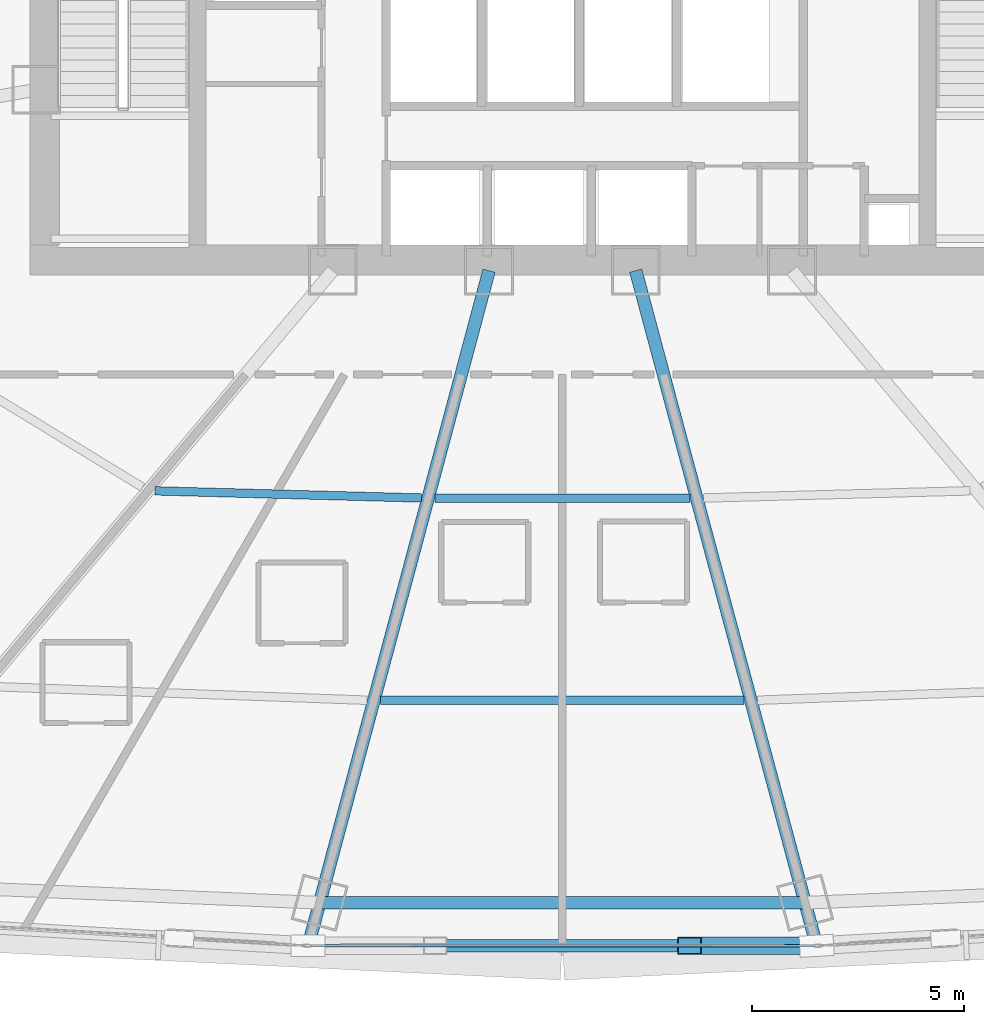
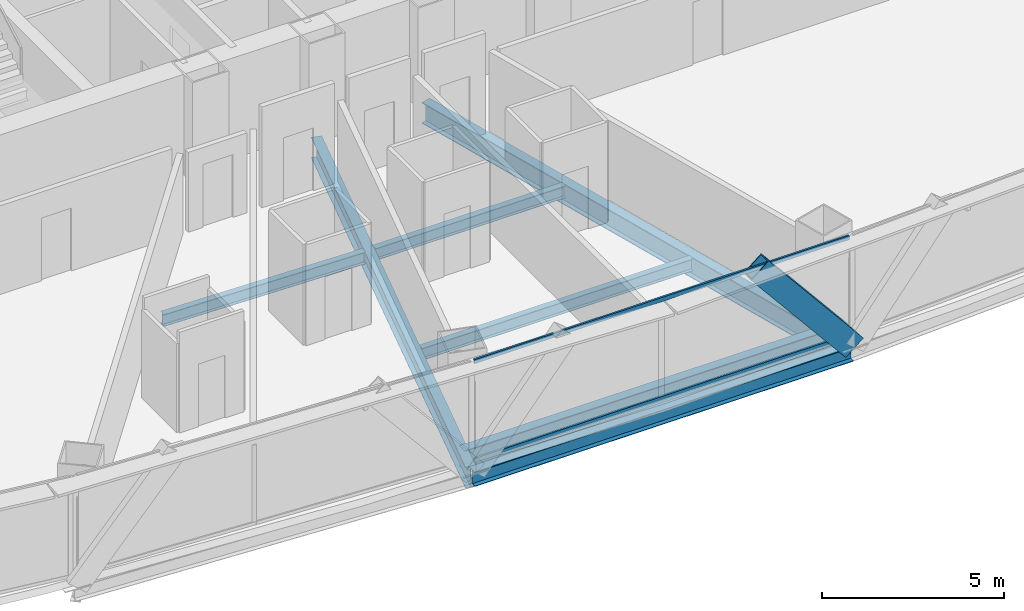
# One storey, part 9 of 41: 7 beams, 3 members, 1 element without a shape of its own.
"""IFC4 building model written with IfcOpenShell, lengths in metres."""

from ifc_helpers import new_model, si_unit, direction, frame, origin, origin_2d, place, context, subcontext, project, spatial, hollow_rectangle, i_section, extrude, source, transform, mapped, material, layer, layer_set, material_profile, profile_set, type_object, element, aggregate, save


model = new_model("IFC4")

# Units and contexts
model_context = context("Model", 3, precision=1e-05, world=origin(), true_north=direction((0.0, 1.0)))
body_context = subcontext(model_context, "Body", "Model", "MODEL_VIEW")
ifc_project = project(units=[si_unit("LENGTHUNIT", "METRE"), si_unit("AREAUNIT", "SQUARE_METRE"), si_unit("VOLUMEUNIT", "CUBIC_METRE"), si_unit("PLANEANGLEUNIT", "RADIAN"), si_unit("MASSUNIT", "GRAM", prefix="KILO"), si_unit("THERMODYNAMICTEMPERATUREUNIT", "KELVIN"), si_unit("POWERUNIT", "WATT")], contexts=[model_context])

# Site, building, storey
site_placement = place(None, origin())
site = spatial("IfcSite", under=ifc_project, at=site_placement, CompositionType="ELEMENT")
building_placement = place(site_placement, origin())
building = spatial("IfcBuilding", under=site, at=building_placement, Name="Yunzhuo Pagoda Commons", CompositionType="ELEMENT")
storey_placement = place(building_placement, frame((0.0, 0.0, 63.070068359375)))
storey = spatial("IfcBuildingStorey", under=building, at=storey_placement, Name="L16", CompositionType="ELEMENT", Elevation=63.070068359375)

# Beams
ifc_material_1 = material(Name="Structural steel Q355B", Category="steel")
ifc_material_profile_1 = material_profile(ifc_material_1, i_section(OverallWidth=0.300048828125, OverallDepth=0.699951171875, WebThickness=0.012939453125, FlangeThickness=0.02392578125, at=origin_2d()), Name="Structural steel Q355B")
ifc_profile_set_1 = profile_set([ifc_material_profile_1], Name="Structural steel Q355B")
beam_type_1 = type_object("IfcBeamType", Name="B-RG1 Beam HN 700x300x13x24", PredefinedType="BEAM", material=ifc_profile_set_1)
shared_shape_1 = source(origin(), body_context, "Body", "SweptSolid", [
    extrude(i_section(OverallWidth=0.300048828125, OverallDepth=0.699951171875, WebThickness=0.012939453125, FlangeThickness=0.02392578125, at=origin_2d()), origin(), (0.0, 0.0, 1.0), 11.4404296875),
])
beam_1_placement = place(storey_placement, frame((42.27978515625, 12.35205078125, -0.610107421875), z_axis=(1.0, 0.0, 0.0), x_axis=(0.0, 1.0, 0.0)))
element("IfcBeam", 1, at=beam_1_placement, inside=storey, type_object=beam_type_1, Name="L16 column-ring beam 2", PredefinedType="BEAM", context=body_context, shape_type="MappedRepresentation", body=[
    mapped(shared_shape_1, transform((0.0, 0.0, 0.0), scale=1.0)),
])
ifc_material_profile_2 = material_profile(ifc_material_1, i_section(OverallWidth=0.199951171875, OverallDepth=0.39990234375, WebThickness=0.008056640625, FlangeThickness=0.012939453125, at=origin_2d()), Name="Structural steel Q355B")
ifc_profile_set_2 = profile_set([ifc_material_profile_2], Name="Structural steel Q355B")
beam_type_2 = type_object("IfcBeamType", Name="B-JS1 Joist HN 400x200x8x13", PredefinedType="JOIST", material=ifc_profile_set_2)
shared_shape_2 = source(origin(), body_context, "Body", "SweptSolid", [
    extrude(i_section(OverallWidth=0.199951171875, OverallDepth=0.39990234375, WebThickness=0.008056640625, FlangeThickness=0.012939453125, at=origin_2d()), origin(), (0.0, 0.0, 1.0), 6.28271484375),
])
beam_2_placement = place(storey_placement, frame((38.395263671875, 22.06005859375, -0.4599609375), z_axis=(0.999638393847, -0.026890175648, 0.0), x_axis=(0.026890175648, 0.999638393847, 0.0)))
element("IfcBeam", 2, at=beam_2_placement, inside=storey, type_object=beam_type_2, Name="L16 composite ring joist 1.1", PredefinedType="JOIST", context=body_context, shape_type="MappedRepresentation", body=[
    mapped(shared_shape_2, transform((0.0, 0.0, 0.0), scale=1.0)),
])
shared_shape_3 = source(origin(), body_context, "Body", "SweptSolid", [
    extrude(i_section(OverallWidth=0.199951171875, OverallDepth=0.39990234375, WebThickness=0.008056640625, FlangeThickness=0.012939453125, at=origin_2d()), origin(), (0.0, 0.0, 1.0), 6.0126953125),
])
beam_3_placement = place(storey_placement, frame((44.99365234375, 21.88671875, -0.4599609375), z_axis=(1.0, 0.0, 0.0), x_axis=(0.0, 1.0, 0.0)))
element("IfcBeam", 3, at=beam_3_placement, inside=storey, type_object=beam_type_2, Name="L16 composite ring joist 1.2", PredefinedType="JOIST", context=body_context, shape_type="MappedRepresentation", body=[
    mapped(shared_shape_3, transform((0.0, 0.0, 0.0), scale=1.0)),
])
shared_shape_4 = source(origin(), body_context, "Body", "SweptSolid", [
    extrude(i_section(OverallWidth=0.199951171875, OverallDepth=0.39990234375, WebThickness=0.008056640625, FlangeThickness=0.012939453125, at=origin_2d()), origin(), (0.0, 0.0, 1.0), 8.5673828125),
])
beam_4_placement = place(storey_placement, frame((43.71630859375, 17.119384765625, -0.4599609375), z_axis=(1.0, 0.0, 0.0), x_axis=(0.0, 1.0, 0.0)))
element("IfcBeam", 4, at=beam_4_placement, inside=storey, type_object=beam_type_2, Name="L16 composite ring joist 2.2", PredefinedType="JOIST", context=body_context, shape_type="MappedRepresentation", body=[
    mapped(shared_shape_4, transform((0.0, 0.0, 0.0), scale=1.0)),
])
shared_shape_5 = source(origin(), body_context, "Body", "SweptSolid", [
    extrude(i_section(OverallWidth=0.300048828125, OverallDepth=0.699951171875, WebThickness=0.012939453125, FlangeThickness=0.02392578125, at=origin_2d()), origin(), (0.0, 0.0, 1.0), 16.318603515625),
])
beam_5_placement = place(storey_placement, frame((42.048095703125, 11.487548828125, -0.610107421875), z_axis=(0.258838535444, 0.965920603657, 0.0), x_axis=(-0.965920603657, 0.258838535444, 0.0)))
element("IfcBeam", 5, at=beam_5_placement, inside=storey, type_object=beam_type_1, Name="L16 radial floor girder F1C2", PredefinedType="BEAM", context=body_context, shape_type="MappedRepresentation", body=[
    mapped(shared_shape_5, transform((0.0, 0.0, 0.0), scale=1.0)),
])
shared_shape_6 = source(origin(), body_context, "Body", "SweptSolid", [
    extrude(i_section(OverallWidth=0.300048828125, OverallDepth=0.699951171875, WebThickness=0.012939453125, FlangeThickness=0.02392578125, at=origin_2d()), origin(), (0.0, 0.0, 1.0), 16.318359375),
])
beam_6_placement = place(storey_placement, frame((53.951904296875, 11.487548828125, -0.610107421875), z_axis=(-0.258810618002, 0.965928084285, 0.0), x_axis=(-0.965928084285, -0.258810618002, 0.0)))
element("IfcBeam", 6, at=beam_6_placement, inside=storey, type_object=beam_type_1, Name="L16 radial floor girder F1C3", PredefinedType="BEAM", context=body_context, shape_type="MappedRepresentation", body=[
    mapped(shared_shape_6, transform((0.0, 0.0, 0.0), scale=1.0)),
])
ifc_material_profile_3 = material_profile(ifc_material_1, i_section(OverallWidth=0.300048828125, OverallDepth=0.488037109375, WebThickness=0.010986328125, FlangeThickness=0.01806640625, at=origin_2d()), Name="Structural steel Q355B")
ifc_profile_set_3 = profile_set([ifc_material_profile_3], Name="Structural steel Q355B")
beam_type_3 = type_object("IfcBeamType", Name="B-SP1 Beam HM 488x300x11x18", PredefinedType="BEAM", material=ifc_profile_set_3)
shared_shape_7 = source(origin(), body_context, "Body", "SweptSolid", [
    extrude(i_section(OverallWidth=0.300048828125, OverallDepth=0.488037109375, WebThickness=0.010986328125, FlangeThickness=0.01806640625, at=origin_2d()), origin(), (0.0, 0.0, 1.0), 11.98388671875),
])
beam_7_placement = place(storey_placement, frame((42.008056640625, 11.337890625, -0.504150390625), z_axis=(1.0, 0.0, 0.0), x_axis=(0.0, 1.0, 0.0)))
element("IfcBeam", 7, at=beam_7_placement, inside=storey, type_object=beam_type_3, Name="L16 facade edge spandrel beam F1.2", PredefinedType="BEAM", context=body_context, shape_type="MappedRepresentation", body=[
    mapped(shared_shape_7, transform((0.0, 0.0, 0.0), scale=1.0)),
])

# Member
ifc_material_2 = material(Name="Structural steel Q420B", Category="steel")
ifc_material_profile_4 = material_profile(ifc_material_2, hollow_rectangle(XDim=0.419921875, YDim=0.719970703125, WallThickness=0.028076171875, at=origin_2d()), Name="Structural steel Q420B")
ifc_profile_set_4 = profile_set([ifc_material_profile_4], Name="Structural steel Q420B")
member_type_1 = type_object("IfcMemberType", Name="M-DL1 Brace BOX 720x420x28", PredefinedType="BRACE", material=ifc_profile_set_4)
shared_shape_8 = source(origin(), body_context, "Body", "SweptSolid", [
    extrude(hollow_rectangle(XDim=0.419921875, YDim=0.719970703125, WallThickness=0.028076171875, at=origin_2d()), origin(), (0.0, 0.0, 1.0), 4.70654296875),
])
member_1_placement = place(storey_placement, frame((53.991943359375, 11.337890625, -0.260009765625), z_axis=(-0.636534182691, 0.0, 0.771248490608), x_axis=(0.0, -1.0, 0.0)))
element("IfcMember", 8, at=member_1_placement, inside=storey, type_object=member_type_1, Name="L16 facade diamond brace F1.2R", PredefinedType="BRACE", context=body_context, shape_type="MappedRepresentation", body=[
    mapped(shared_shape_8, transform((0.0, 0.0, 0.0), scale=1.0)),
])

# Curtain wall, members
ifc_material_3 = material(Name="Anodized aluminium 6063-T6", Category="aluminium")
ifc_layer = layer(ifc_material_3, 0.1650390625)
ifc_layer_set = layer_set([ifc_layer], Name="Anodized aluminium 6063-T6")
curtain_wall_type = type_object("IfcCurtainWallType", Name="CW-LOW Low-Zone Ribbon Curtain Wall", PredefinedType="NOTDEFINED", material=ifc_layer_set)
curtain_wall_placement = place(storey_placement, origin())
curtain_wall = element("IfcCurtainWall", 9, at=curtain_wall_placement, inside=storey, type_object=curtain_wall_type, Name="L16 curtain wall CW-L16-F1B3", PredefinedType="NOTDEFINED")
ifc_material_profile_5 = material_profile(ifc_material_3, hollow_rectangle(XDim=0.06005859375, YDim=0.139892578125, WallThickness=0.00341796875, at=origin_2d()), Name="Anodized aluminium 6063-T6")
ifc_profile_set_5 = profile_set([ifc_material_profile_5], Name="Anodized aluminium 6063-T6")
member_type_2 = type_object("IfcMemberType", Name="CW-LOW-T Transom RHS 140x60x3.5", PredefinedType="USERDEFINED", material=ifc_profile_set_5)
shared_shape_9 = source(origin(), body_context, "Body", "SweptSolid", [
    extrude(hollow_rectangle(XDim=0.06005859375, YDim=0.139892578125, WallThickness=0.00341796875, at=origin_2d()), origin(), (0.0, 0.0, 1.0), 11.85400390625),
])
member_2_placement = place(storey_placement, frame((42.072998046875, 11.337890625, 0.030029296875), z_axis=(1.0, 0.0, 0.0), x_axis=(0.0, 1.0, 0.0)))
member_2 = element("IfcMember", 10, at=member_2_placement, type_object=member_type_2, Name="CW transom 1.1", ObjectType="TRANSOM", PredefinedType="USERDEFINED", context=body_context, shape_type="MappedRepresentation", body=[
    mapped(shared_shape_9, transform((0.0, 0.0, 0.0), scale=1.0)),
])
member_3_placement = place(storey_placement, frame((42.072998046875, 11.337890625, 3.33984375), z_axis=(1.0, 0.0, 0.0), x_axis=(0.0, 1.0, 0.0)))
member_3 = element("IfcMember", 11, at=member_3_placement, type_object=member_type_2, Name="CW transom 1.2", ObjectType="TRANSOM", PredefinedType="USERDEFINED", context=body_context, shape_type="MappedRepresentation", body=[
    mapped(shared_shape_9, transform((0.0, 0.0, 0.0), scale=1.0)),
])
aggregate(curtain_wall, [member_2, member_3])

save(model, "model.ifc")
